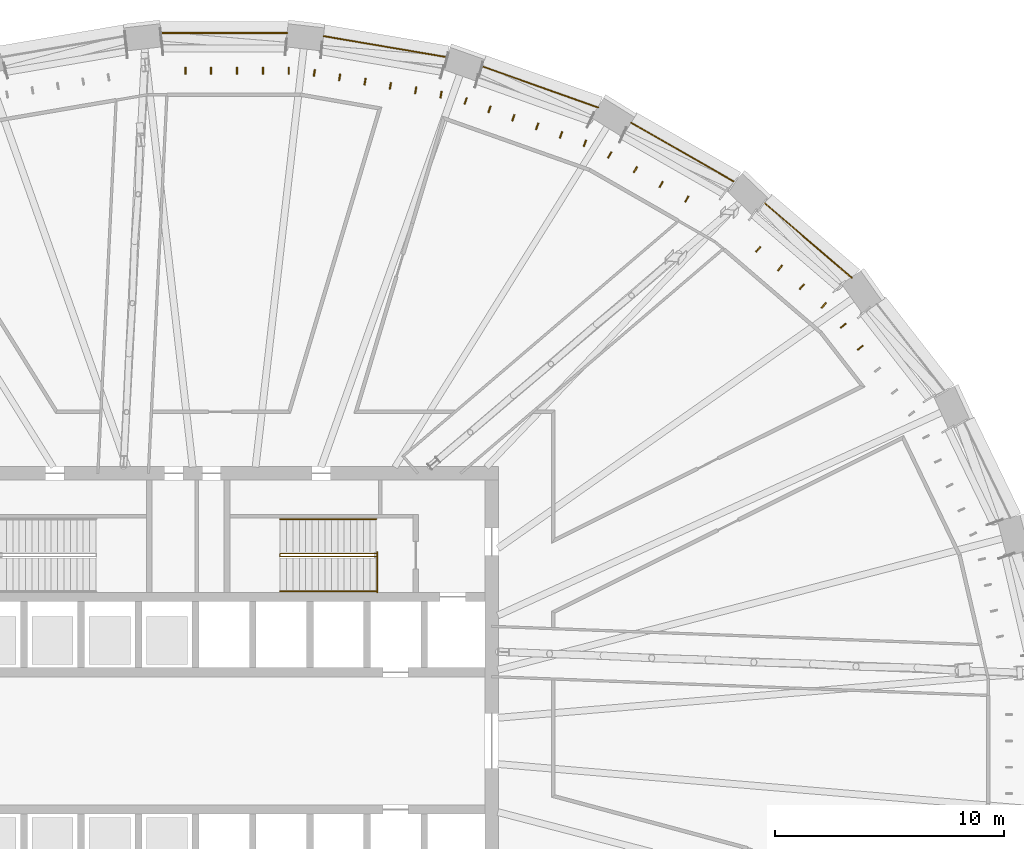
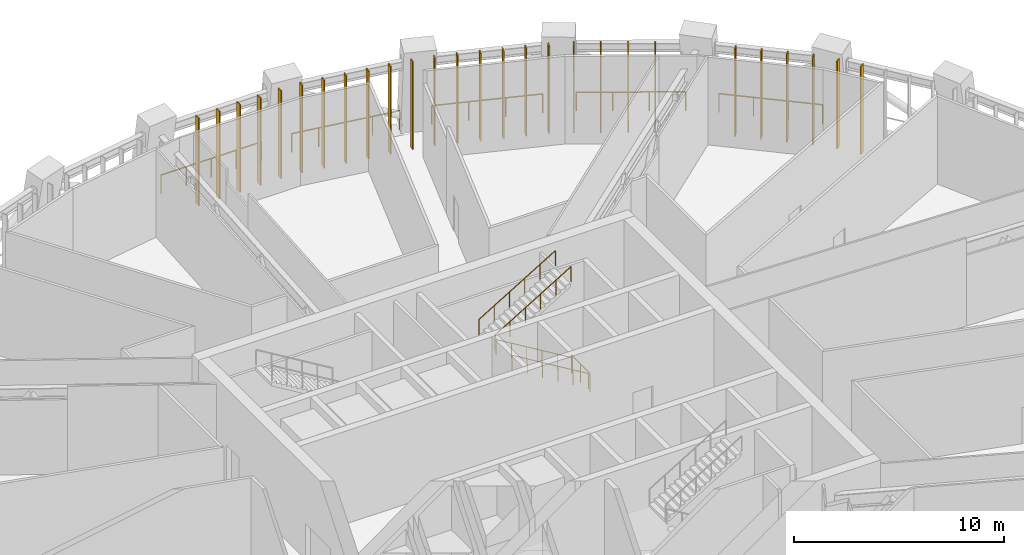
# One storey, part 20 of 22: 27 shading devices, 9 railings.
"""IFC4 building model written with IfcOpenShell, lengths in metres."""

from ifc_helpers import new_model, si_unit, direction, frame, origin, origin_2d, place, context, subcontext, project, spatial, rectangle, circle, extrude, material, material_profile, profile_set, type_object, element, save


model = new_model("IFC4")

# Units and contexts
model_context = context("Model", 3, precision=1e-05, world=origin(), true_north=direction((0.0, 1.0)))
body_context = subcontext(model_context, "Body", "Model", "MODEL_VIEW")
ifc_project = project(units=[si_unit("LENGTHUNIT", "METRE"), si_unit("AREAUNIT", "SQUARE_METRE"), si_unit("VOLUMEUNIT", "CUBIC_METRE"), si_unit("PLANEANGLEUNIT", "RADIAN"), si_unit("MASSUNIT", "GRAM", prefix="KILO")], contexts=[model_context])

# Site, building, storey
site_placement = place(None, origin())
site = spatial("IfcSite", under=ifc_project, at=site_placement, CompositionType="ELEMENT")
building_placement = place(site_placement, origin())
building = spatial("IfcBuilding", under=site, at=building_placement, Name="Halqa Exchange Tower", CompositionType="ELEMENT")
storey_placement = place(building_placement, frame((0.0, 0.0, 99.10009765625)))
storey = spatial("IfcBuildingStorey", under=building, at=storey_placement, Name="L22", CompositionType="ELEMENT", Elevation=99.10009765625)

# Shading devices
ifc_material_1 = material(Name="Anodised aluminium", Category="aluminium")
ifc_material_profile = material_profile(ifc_material_1, rectangle(XDim=0.300048828125, YDim=0.06005859375, at=origin_2d()), Name="AL FIN 300x60")
ifc_profile_set = profile_set([ifc_material_profile], Name="Anodised aluminium")
shading_device_type = type_object("IfcShadingDeviceType", Name="Aluminium louvre FIN 300 x 60", PredefinedType="USERDEFINED", material=ifc_profile_set)
for number, where, z_axis, x_axis, name in (
    (1, (27.820068359375, 17.194091796875, 0.0), (0.0, 0.0, 1.0), (-0.788675428901, -0.614809781841, 0.0), "Louvre FIN 3.4"),
    (2, (27.07177734375, 18.154052734375, 0.0), (0.0, 0.0, 1.0), (-0.788675428901, -0.614809781841, 0.0), "Louvre FIN 3.5"),
    (3, (26.22021484375, 19.043212890625, 0.0), (0.0, 0.0, 1.0), (-0.65078481863, -0.759262220739, 0.0), "Louvre FIN 4.1"),
    (4, (25.265625, 19.861572265625, 0.0), (0.0, 0.0, 1.0), (-0.65078481863, -0.759262220739, 0.0), "Louvre FIN 4.2"),
    (5, (24.310791015625, 20.6796875, 0.0), (0.0, 0.0, 1.0), (-0.65078481863, -0.759262220739, 0.0), "Louvre FIN 4.3"),
    (6, (23.356201171875, 21.498046875, 0.0), (0.0, 0.0, 1.0), (-0.65078481863, -0.759262220739, 0.0), "Louvre FIN 4.4"),
    (7, (20.237060546875, 23.69189453125, 0.0), (0.0, 0.0, 1.0), (-0.496984562745, -0.867759381622, 0.0), "Louvre FIN 5.2"),
    (8, (19.112060546875, 24.3359375, 0.0), (0.0, 0.0, 1.0), (-0.496984562745, -0.867759381622, 0.0), "Louvre FIN 5.3"),
    (9, (17.9873046875, 24.980224609375, 0.0), (0.0, 0.0, 1.0), (-0.496984562745, -0.867759381622, 0.0), "Louvre FIN 5.4"),
    (10, (16.862548828125, 25.62451171875, 0.0), (0.0, 0.0, 1.0), (-0.496984562745, -0.867759381622, 0.0), "Louvre FIN 5.5"),
    (11, (15.778564453125, 26.131591796875, 0.0), (0.0, 0.0, 1.0), (-0.334578355387, -0.94236793457, 0.0), "Louvre FIN 6.1"),
    (12, (14.7353515625, 26.501953125, 0.0), (0.0, 0.0, 1.0), (-0.334578355387, -0.94236793457, 0.0), "Louvre FIN 6.2"),
    (13, (13.6923828125, 26.872314453125, 0.0), (0.0, 0.0, 1.0), (-0.334578355387, -0.94236793457, 0.0), "Louvre FIN 6.3"),
    (14, (12.649169921875, 27.24267578125, 0.0), (0.0, 0.0, 1.0), (-0.334578355387, -0.94236793457, 0.0), "Louvre FIN 6.4"),
    (15, (11.606201171875, 27.613037109375, 0.0), (0.0, 0.0, 1.0), (-0.334578355387, -0.94236793457, 0.0), "Louvre FIN 6.5"),
    (16, (10.56298828125, 27.9833984375, 0.0), (0.0, 0.0, 1.0), (-0.334578355387, -0.94236793457, 0.0), "Louvre FIN 6.6"),
    (17, (9.4873046875, 28.26318359375, 0.0), (0.0, 0.0, 1.0), (-0.168067871785, -0.985775425984, 0.0), "Louvre FIN 7.1"),
    (18, (8.37890625, 28.451904296875, 0.0), (0.0, 0.0, 1.0), (-0.168067871785, -0.985775425984, 0.0), "Louvre FIN 7.2"),
    (19, (7.2705078125, 28.64111328125, 0.0), (0.0, 0.0, 1.0), (-0.168067871785, -0.985775425984, 0.0), "Louvre FIN 7.3"),
    (20, (6.162109375, 28.830078125, 0.0), (0.0, 0.0, 1.0), (-0.168067871785, -0.985775425984, 0.0), "Louvre FIN 7.4"),
    (21, (5.0537109375, 29.018798828125, 0.0), (0.0, 0.0, 1.0), (-0.168067871785, -0.985775425984, 0.0), "Louvre FIN 7.5"),
    (22, (3.945556640625, 29.2080078125, 0.0), (0.0, 0.0, 1.0), (-0.168067871785, -0.985775425984, 0.0), "Louvre FIN 7.6"),
    (23, (2.826171875, 29.302490234375, 0.0), (0.0, 0.0, 1.0), (0.0, -1.0, 0.0), "Louvre FIN 8.1"),
    (24, (1.695556640625, 29.302490234375, 0.0), (0.0, 0.0, 1.0), (0.0, -1.0, 0.0), "Louvre FIN 8.2"),
    (25, (0.565185546875, 29.302490234375, 0.0), (0.0, 0.0, 1.0), (0.0, -1.0, 0.0), "Louvre FIN 8.3"),
    (26, (-0.565185546875, 29.302490234375, 0.0), (0.0, 0.0, 1.0), (0.0, -1.0, 0.0), "Louvre FIN 8.4"),
    (27, (-1.695556640625, 29.302490234375, 0.0), (0.0, 0.0, 1.0), (0.0, -1.0, 0.0), "Louvre FIN 8.5"),
):
    element("IfcShadingDevice", number, at=place(storey_placement, frame(where, z_axis=z_axis, x_axis=x_axis)), inside=storey, type_object=shading_device_type, Name=name, ObjectType="FIN", PredefinedType="USERDEFINED", context=body_context, shape_type="SweptSolid", body=[
        extrude(rectangle(XDim=0.300048828125, YDim=0.06005859375, at=origin_2d()), origin(), (0.0, 0.0, 1.0), 5.099853515625),
    ])

# Railings
ifc_material_2 = material(Name="Stainless steel", Category="steel")
railing_type_1 = type_object("IfcRailingType", Name="Guard 1100 stainless steel", PredefinedType="GUARDRAIL", material=ifc_material_2)
railing_1_placement = place(storey_placement, frame((27.44482421875, 20.253662109375, 0.0)))
element("IfcRailing", 28, at=railing_1_placement, inside=storey, type_object=railing_type_1, Name="Band edge guard 4", PredefinedType="GUARDRAIL", context=body_context, shape_type="SweptSolid", body=[
    extrude(circle(Radius=0.02392578125, at=origin_2d()), frame((0.0, 0.0, 1.076171875), z_axis=(-0.759263460736, 0.650783371938, 0.0), x_axis=(-0.650783371938, -0.759263460736, 0.0)), (0.0, 0.0, 1.0), 5.025390625),
    extrude(circle(Radius=0.02099609375, at=origin_2d()), origin(), (0.0, 0.0, 1.0), 1.052001953125),
    extrude(circle(Radius=0.02099609375, at=origin_2d()), frame((-1.27197265625, 1.090087890625, 0.0)), (0.0, 0.0, 1.0), 1.052001953125),
    extrude(circle(Radius=0.02099609375, at=origin_2d()), frame((-2.543701171875, 2.180419921875, 0.0)), (0.0, 0.0, 1.0), 1.052001953125),
    extrude(circle(Radius=0.02099609375, at=origin_2d()), frame((-3.815673828125, 3.2705078125, 0.0)), (0.0, 0.0, 1.0), 1.052001953125),
])
railing_2_placement = place(storey_placement, frame((22.32763671875, 24.4423828125, 0.0)))
element("IfcRailing", 29, at=railing_2_placement, inside=storey, type_object=railing_type_1, Name="Band edge guard 5", PredefinedType="GUARDRAIL", context=body_context, shape_type="SweptSolid", body=[
    extrude(circle(Radius=0.02392578125, at=origin_2d()), frame((0.0, 0.0, 1.076171875), z_axis=(-0.867755983437, 0.496990496096, 0.0), x_axis=(-0.496990496096, -0.867755983437, 0.0)), (0.0, 0.0, 1.0), 5.216552734375),
    extrude(circle(Radius=0.02099609375, at=origin_2d()), origin(), (0.0, 0.0, 1.0), 1.052001953125),
    extrude(circle(Radius=0.02099609375, at=origin_2d()), frame((-1.5087890625, 0.8642578125, 0.0)), (0.0, 0.0, 1.0), 1.052001953125),
    extrude(circle(Radius=0.02099609375, at=origin_2d()), frame((-3.017822265625, 1.728271484375, 0.0)), (0.0, 0.0, 1.0), 1.052001953125),
    extrude(circle(Radius=0.02099609375, at=origin_2d()), frame((-4.526611328125, 2.592529296875, 0.0)), (0.0, 0.0, 1.0), 1.052001953125),
])
railing_3_placement = place(storey_placement, frame((16.35302734375, 27.699951171875, 0.0)))
element("IfcRailing", 30, at=railing_3_placement, inside=storey, type_object=railing_type_1, Name="Band edge guard 6", PredefinedType="GUARDRAIL", context=body_context, shape_type="SweptSolid", body=[
    extrude(circle(Radius=0.02392578125, at=origin_2d()), frame((0.0, 0.0, 1.076171875), z_axis=(-0.942363076556, 0.334592038075, 0.0), x_axis=(-0.334592038075, -0.942363076556, 0.0)), (0.0, 0.0, 1.0), 5.374755859375),
    extrude(circle(Radius=0.02099609375, at=origin_2d()), origin(), (0.0, 0.0, 1.0), 1.052001953125),
    extrude(circle(Radius=0.02099609375, at=origin_2d()), frame((-1.688232421875, 0.599365234375, 0.0)), (0.0, 0.0, 1.0), 1.052001953125),
    extrude(circle(Radius=0.02099609375, at=origin_2d()), frame((-3.376708984375, 1.198974609375, 0.0)), (0.0, 0.0, 1.0), 1.052001953125),
    extrude(circle(Radius=0.02099609375, at=origin_2d()), frame((-5.06494140625, 1.79833984375, 0.0)), (0.0, 0.0, 1.0), 1.052001953125),
])
railing_4_placement = place(storey_placement, frame((9.74560546875, 29.900390625, 0.0)))
element("IfcRailing", 31, at=railing_4_placement, inside=storey, type_object=railing_type_1, Name="Band edge guard 7", PredefinedType="GUARDRAIL", context=body_context, shape_type="SweptSolid", body=[
    extrude(circle(Radius=0.02392578125, at=origin_2d()), frame((0.0, 0.0, 1.076171875), z_axis=(-0.985775171727, 0.168069363079, 0.0), x_axis=(-0.168069363079, -0.985775171727, 0.0)), (0.0, 0.0, 1.0), 5.477783203125),
    extrude(circle(Radius=0.02099609375, at=origin_2d()), origin(), (0.0, 0.0, 1.0), 1.052001953125),
    extrude(circle(Radius=0.02099609375, at=origin_2d()), frame((-1.35009765625, 0.230224609375, 0.0)), (0.0, 0.0, 1.0), 1.052001953125),
    extrude(circle(Radius=0.02099609375, at=origin_2d()), frame((-2.699951171875, 0.46044921875, 0.0)), (0.0, 0.0, 1.0), 1.052001953125),
    extrude(circle(Radius=0.02099609375, at=origin_2d()), frame((-4.0498046875, 0.6904296875, 0.0)), (0.0, 0.0, 1.0), 1.052001953125),
    extrude(circle(Radius=0.02099609375, at=origin_2d()), frame((-5.39990234375, 0.920654296875, 0.0)), (0.0, 0.0, 1.0), 1.052001953125),
])
railing_5_placement = place(storey_placement, frame((2.757080078125, 30.95556640625, 0.0)))
element("IfcRailing", 32, at=railing_5_placement, inside=storey, type_object=railing_type_1, Name="Band edge guard 8", PredefinedType="GUARDRAIL", context=body_context, shape_type="SweptSolid", body=[
    extrude(circle(Radius=0.02392578125, at=origin_2d()), frame((0.0, 0.0, 1.076171875), z_axis=(-1.0, 0.0, 0.0), x_axis=(0.0, -1.0, 0.0)), (0.0, 0.0, 1.0), 5.51416015625),
    extrude(circle(Radius=0.02099609375, at=origin_2d()), origin(), (0.0, 0.0, 1.0), 1.052001953125),
    extrude(circle(Radius=0.02099609375, at=origin_2d()), frame((-1.37841796875, 0.0, 0.0)), (0.0, 0.0, 1.0), 1.052001953125),
    extrude(circle(Radius=0.02099609375, at=origin_2d()), frame((-2.757080078125, 0.0, 0.0)), (0.0, 0.0, 1.0), 1.052001953125),
    extrude(circle(Radius=0.02099609375, at=origin_2d()), frame((-4.1357421875, 0.0, 0.0)), (0.0, 0.0, 1.0), 1.052001953125),
    extrude(circle(Radius=0.02099609375, at=origin_2d()), frame((-5.51416015625, 0.0, 0.0)), (0.0, 0.0, 1.0), 1.052001953125),
])
railing_type_2 = type_object("IfcRailingType", Name="Stair handrail 900", PredefinedType="HANDRAIL", material=ifc_material_2)
railing_6_placement = place(storey_placement, frame((6.64990234375, 8.06005859375, 0.168701171875)))
element("IfcRailing", 33, at=railing_6_placement, inside=storey, type_object=railing_type_2, Name="Handrail ST2.1", PredefinedType="HANDRAIL", context=body_context, shape_type="SweptSolid", body=[
    extrude(circle(Radius=0.02392578125, at=origin_2d()), frame((0.0, 0.0, 0.8759765625), z_axis=(-0.856476492594, 0.0, 0.516186030065), x_axis=(0.0, -1.0, 0.0)), (0.0, 0.0, 1.0), 4.90380859375),
    extrude(circle(Radius=0.02392578125, at=origin_2d()), frame((-4.199951171875, 0.0, 3.4072265625), z_axis=(0.0, 0.610043206925, 0.792368150348), x_axis=(-1.0, 0.0, 0.0)), (0.0, 0.0, 1.0), 0.212890625),
    extrude(circle(Radius=0.02392578125, at=origin_2d()), frame((-4.199951171875, 0.1298828125, 3.57568359375), z_axis=(0.856476492594, 0.0, 0.516186030065), x_axis=(0.0, 1.0, 0.0)), (0.0, 0.0, 1.0), 4.90380859375),
    extrude(circle(Radius=0.02099609375, at=origin_2d()), origin(), (0.0, 0.0, 1.0), 0.851806640625),
    extrude(circle(Radius=0.02099609375, at=origin_2d()), frame((-0.840087890625, 0.0, 0.50634765625)), (0.0, 0.0, 1.0), 0.851806640625),
    extrude(circle(Radius=0.02099609375, at=origin_2d()), frame((-1.679931640625, 0.0, 1.012451171875)), (0.0, 0.0, 1.0), 0.851806640625),
    extrude(circle(Radius=0.02099609375, at=origin_2d()), frame((-2.52001953125, 0.0, 1.518798828125)), (0.0, 0.0, 1.0), 0.851806640625),
    extrude(circle(Radius=0.02099609375, at=origin_2d()), frame((-3.35986328125, 0.0, 2.02490234375)), (0.0, 0.0, 1.0), 0.851806640625),
    extrude(circle(Radius=0.02099609375, at=origin_2d()), frame((-4.199951171875, 0.0, 2.53125)), (0.0, 0.0, 1.0), 0.851806640625),
    extrude(circle(Radius=0.02099609375, at=origin_2d()), frame((-4.199951171875, 0.1298828125, 2.699951171875)), (0.0, 0.0, 1.0), 0.851806640625),
    extrude(circle(Radius=0.02099609375, at=origin_2d()), frame((-3.35986328125, 0.1298828125, 3.206298828125)), (0.0, 0.0, 1.0), 0.851806640625),
    extrude(circle(Radius=0.02099609375, at=origin_2d()), frame((-2.52001953125, 0.1298828125, 3.71240234375)), (0.0, 0.0, 1.0), 0.851806640625),
    extrude(circle(Radius=0.02099609375, at=origin_2d()), frame((-1.679931640625, 0.1298828125, 4.21875)), (0.0, 0.0, 1.0), 0.851806640625),
    extrude(circle(Radius=0.02099609375, at=origin_2d()), frame((-0.840087890625, 0.1298828125, 4.724853515625)), (0.0, 0.0, 1.0), 0.851806640625),
    extrude(circle(Radius=0.02099609375, at=origin_2d()), frame((0.0, 0.1298828125, 5.231201171875)), (0.0, 0.0, 1.0), 0.851806640625),
])
railing_7_placement = place(storey_placement, frame((6.64990234375, 6.550048828125, 0.168701171875)))
element("IfcRailing", 34, at=railing_7_placement, inside=storey, type_object=railing_type_2, Name="Handrail ST2.2", PredefinedType="HANDRAIL", context=body_context, shape_type="SweptSolid", body=[
    extrude(circle(Radius=0.02392578125, at=origin_2d()), frame((0.0, 0.0, 0.8759765625), z_axis=(-0.856476492594, 0.0, 0.516186030065), x_axis=(0.0, -1.0, 0.0)), (0.0, 0.0, 1.0), 4.90380859375),
    extrude(circle(Radius=0.02099609375, at=origin_2d()), origin(), (0.0, 0.0, 1.0), 0.851806640625),
    extrude(circle(Radius=0.02099609375, at=origin_2d()), frame((-0.840087890625, 0.0, 0.50634765625)), (0.0, 0.0, 1.0), 0.851806640625),
    extrude(circle(Radius=0.02099609375, at=origin_2d()), frame((-1.679931640625, 0.0, 1.012451171875)), (0.0, 0.0, 1.0), 0.851806640625),
    extrude(circle(Radius=0.02099609375, at=origin_2d()), frame((-2.52001953125, 0.0, 1.518798828125)), (0.0, 0.0, 1.0), 0.851806640625),
    extrude(circle(Radius=0.02099609375, at=origin_2d()), frame((-3.35986328125, 0.0, 2.02490234375)), (0.0, 0.0, 1.0), 0.851806640625),
    extrude(circle(Radius=0.02099609375, at=origin_2d()), frame((-4.199951171875, 0.0, 2.53125)), (0.0, 0.0, 1.0), 0.851806640625),
])
railing_8_placement = place(storey_placement, frame((2.449951171875, 9.699951171875, 2.86865234375)))
element("IfcRailing", 35, at=railing_8_placement, inside=storey, type_object=railing_type_2, Name="Handrail ST2.3", PredefinedType="HANDRAIL", context=body_context, shape_type="SweptSolid", body=[
    extrude(circle(Radius=0.02392578125, at=origin_2d()), frame((0.0, 0.0, 0.8759765625), z_axis=(0.856476492594, 0.0, 0.516186030065), x_axis=(0.0, 1.0, 0.0)), (0.0, 0.0, 1.0), 4.90380859375),
    extrude(circle(Radius=0.02099609375, at=origin_2d()), origin(), (0.0, 0.0, 1.0), 0.851806640625),
    extrude(circle(Radius=0.02099609375, at=origin_2d()), frame((0.840087890625, 0.0, 0.50634765625)), (0.0, 0.0, 1.0), 0.851806640625),
    extrude(circle(Radius=0.02099609375, at=origin_2d()), frame((1.679931640625, 0.0, 1.012451171875)), (0.0, 0.0, 1.0), 0.851806640625),
    extrude(circle(Radius=0.02099609375, at=origin_2d()), frame((2.52001953125, 0.0, 1.518798828125)), (0.0, 0.0, 1.0), 0.851806640625),
    extrude(circle(Radius=0.02099609375, at=origin_2d()), frame((3.35986328125, 0.0, 2.02490234375)), (0.0, 0.0, 1.0), 0.851806640625),
    extrude(circle(Radius=0.02099609375, at=origin_2d()), frame((4.199951171875, 0.0, 2.53125)), (0.0, 0.0, 1.0), 0.851806640625),
])
railing_type_3 = type_object("IfcRailingType", Name="Stair well guard 1100", PredefinedType="GUARDRAIL", material=ifc_material_2)
railing_9_placement = place(storey_placement, frame((6.699951171875, 6.5, 0.0)))
element("IfcRailing", 36, at=railing_9_placement, inside=storey, type_object=railing_type_3, Name="Guard ST2 well", PredefinedType="GUARDRAIL", context=body_context, shape_type="SweptSolid", body=[
    extrude(circle(Radius=0.02392578125, at=origin_2d()), frame((0.0, 0.0, 1.076171875), z_axis=(0.0, 1.0, 0.0), x_axis=(-1.0, 0.0, 0.0)), (0.0, 0.0, 1.0), 1.75),
    extrude(circle(Radius=0.02099609375, at=origin_2d()), origin(), (0.0, 0.0, 1.0), 1.052001953125),
    extrude(circle(Radius=0.02099609375, at=origin_2d()), frame((0.0, 0.875, 0.0)), (0.0, 0.0, 1.0), 1.052001953125),
    extrude(circle(Radius=0.02099609375, at=origin_2d()), frame((0.0, 1.75, 0.0)), (0.0, 0.0, 1.0), 1.052001953125),
])

save(model, "model.ifc")
